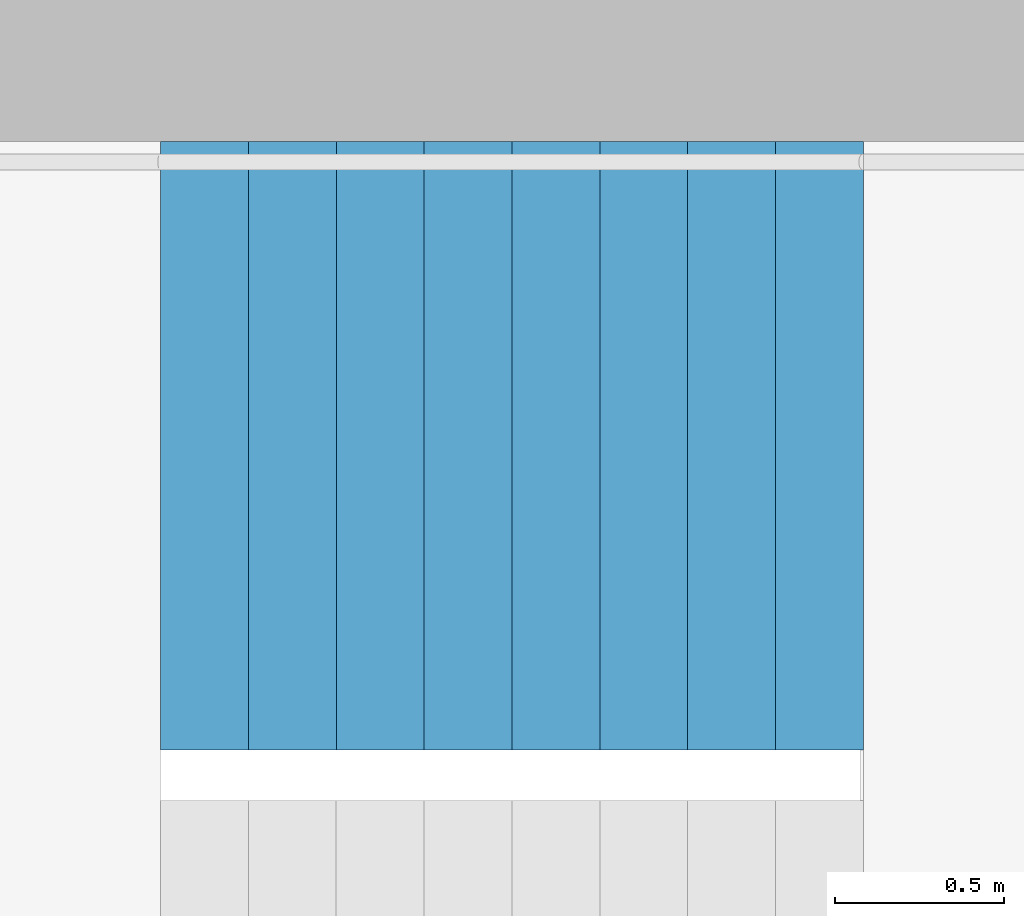
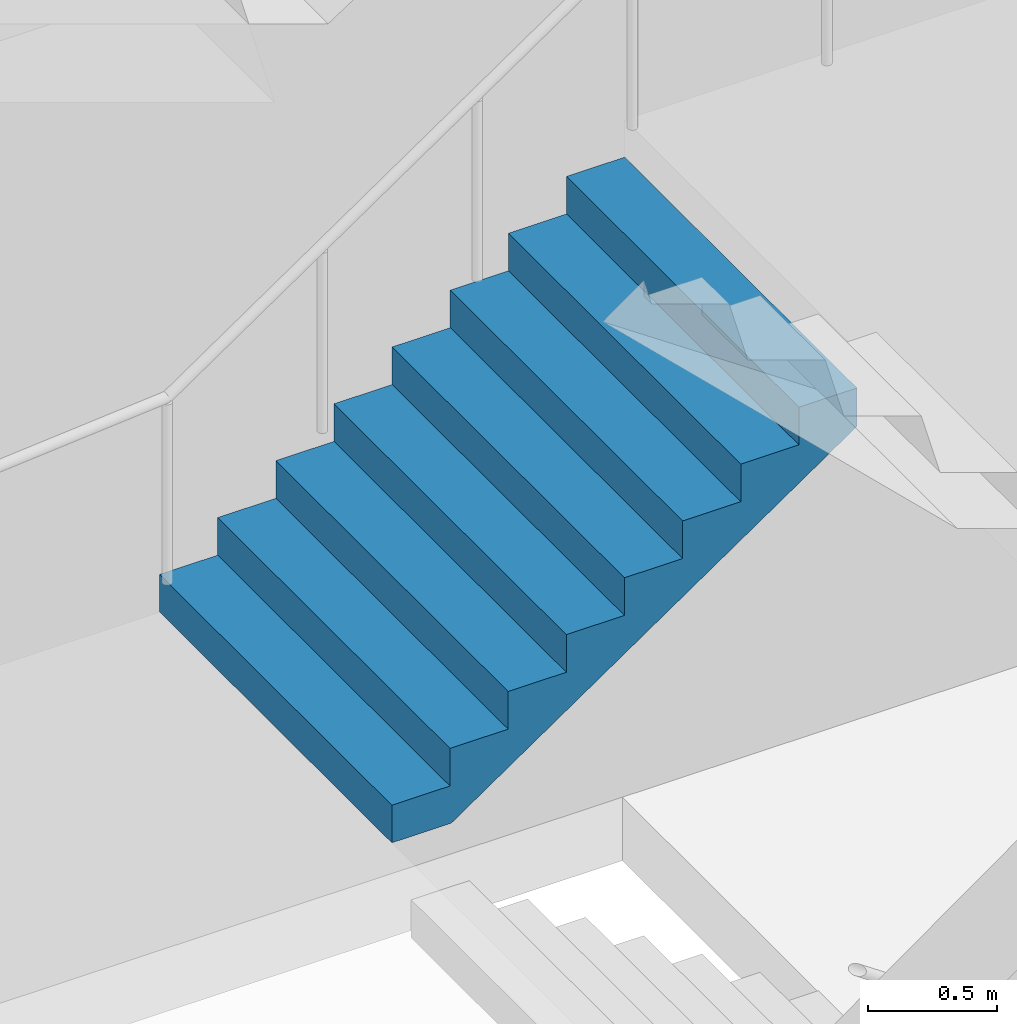
# One storey, part 31 of 44: 1 stair flight, 1 element without a shape of its own.
"""IFC4 building model written with IfcOpenShell, lengths in metres."""

from ifc_helpers import new_model, si_unit, direction, frame, origin, place, context, subcontext, project, spatial, triangles, material, type_object, element, aggregate, save


model = new_model("IFC4")

# Units and contexts
model_context = context("Model", 3, precision=1e-05, world=origin(), true_north=direction((0.0, 1.0)))
body_context = subcontext(model_context, "Body", "Model", "MODEL_VIEW")
ifc_project = project(units=[si_unit("LENGTHUNIT", "METRE"), si_unit("AREAUNIT", "SQUARE_METRE"), si_unit("VOLUMEUNIT", "CUBIC_METRE"), si_unit("PLANEANGLEUNIT", "RADIAN"), si_unit("MASSUNIT", "GRAM", prefix="KILO")], contexts=[model_context])

# Site, building, storey
site_placement = place(None, origin())
site = spatial("IfcSite", under=ifc_project, at=site_placement, CompositionType="ELEMENT")
building_placement = place(site_placement, origin())
building = spatial("IfcBuilding", under=site, at=building_placement, Name="Hakoniwa Tower and Hamabe Station Hall", CompositionType="ELEMENT")
storey_placement = place(building_placement, frame((0.0, 0.0, 69.0)))
storey = spatial("IfcBuildingStorey", under=building, at=storey_placement, Name="L19", CompositionType="ELEMENT", Elevation=69.0)

# Stair, stair flight
ifc_material_1 = material(Name="Concrete C40", Category="concrete")
stair_type = type_object("IfcStairType", Name="ESCAPE STAIR 1800", PredefinedType="HALF_TURN_STAIR", material=ifc_material_1)
stair_placement = place(storey_placement, origin())
stair = element("IfcStair", 1, at=stair_placement, inside=storey, type_object=stair_type, Name="Escape stair ST-3 L19", PredefinedType="HALF_TURN_STAIR")
ifc_material_2 = material(Name="Concrete C40", Category="concrete")
stair_flight_type = type_object("IfcStairFlightType", Name="STAIR FLIGHT 1800", PredefinedType="STRAIGHT", material=ifc_material_2)
stair_flight_placement = place(storey_placement, frame((22.320068359375, 6.60009765625, 1.60009765625), z_axis=(0.0, 0.0, 1.0), x_axis=(1.0, 0.0, 0.0)))
stair_flight = element("IfcStairFlight", 2, at=stair_flight_placement, type_object=stair_flight_type, Name="ST-3 flight 2", NumberOfRisers=9, NumberOfTreads=8, PredefinedType="STRAIGHT", RiserHeight=0.177777778, TreadLength=0.26, context=body_context, shape_type="Tessellation", body=[
    triangles([(0.0, 0.89990234375, 0.0), (0.260009765625, 0.89990234375, 0.0), (0.265625, 0.89990234375, 0.0), (0.52001953125, 0.89990234375, 0.174072265625), (0.780029296875, 0.89990234375, 0.351806640625), (1.0400390625, 0.89990234375, 0.529541015625), (1.300048828125, 0.89990234375, 0.707275390625), (1.56005859375, 0.89990234375, 0.885009765625), (1.820068359375, 0.89990234375, 1.062744140625), (2.080078125, 0.89990234375, 1.24072265625), (2.080078125, 0.89990234375, 1.422119140625), (1.820068359375, 0.89990234375, 1.422119140625), (1.820068359375, 0.89990234375, 1.244384765625), (1.56005859375, 0.89990234375, 1.244384765625), (1.56005859375, 0.89990234375, 1.066650390625), (1.300048828125, 0.89990234375, 1.066650390625), (1.300048828125, 0.89990234375, 0.888916015625), (1.0400390625, 0.89990234375, 0.888916015625), (1.0400390625, 0.89990234375, 0.711181640625), (0.780029296875, 0.89990234375, 0.711181640625), (0.780029296875, 0.89990234375, 0.533447265625), (0.52001953125, 0.89990234375, 0.533447265625), (0.52001953125, 0.89990234375, 0.35546875), (0.265625, 0.89990234375, 0.35546875), (0.260009765625, 0.89990234375, 0.35546875), (0.260009765625, 0.89990234375, 0.177734375), (0.0, 0.89990234375, 0.177734375), (0.0, 0.06005859375, 0.0), (0.260009765625, 0.06005859375, 0.0), (0.265625, 0.06005859375, 0.0), (0.52001953125, 0.06005859375, 0.174072265625), (0.780029296875, 0.06005859375, 0.351806640625), (1.0400390625, 0.06005859375, 0.529541015625), (1.300048828125, 0.06005859375, 0.707275390625), (1.56005859375, 0.06005859375, 0.885009765625), (1.820068359375, 0.06005859375, 1.062744140625), (2.080078125, 0.06005859375, 1.24072265625), (2.080078125, 0.06005859375, 1.422119140625), (1.820068359375, 0.06005859375, 1.422119140625), (1.820068359375, 0.06005859375, 1.244384765625), (1.56005859375, 0.06005859375, 1.244384765625), (1.56005859375, 0.06005859375, 1.066650390625), (1.300048828125, 0.06005859375, 1.066650390625), (1.300048828125, 0.06005859375, 0.888916015625), (1.0400390625, 0.06005859375, 0.888916015625), (1.0400390625, 0.06005859375, 0.711181640625), (0.780029296875, 0.06005859375, 0.711181640625), (0.780029296875, 0.06005859375, 0.533447265625), (0.52001953125, 0.06005859375, 0.533447265625), (0.52001953125, 0.06005859375, 0.35546875), (0.265625, 0.06005859375, 0.35546875), (0.260009765625, 0.06005859375, 0.35546875), (0.260009765625, 0.06005859375, 0.177734375), (0.0, 0.06005859375, 0.177734375), (0.0, 0.04296875, 0.0), (0.260009765625, 0.04296875, 0.0), (0.265625, 0.04296875, 0.0), (0.52001953125, 0.04296875, 0.174072265625), (0.780029296875, 0.04296875, 0.351806640625), (1.0400390625, 0.04296875, 0.529541015625), (1.300048828125, 0.04296875, 0.707275390625), (1.56005859375, 0.04296875, 0.885009765625), (1.820068359375, 0.04296875, 1.062744140625), (2.080078125, 0.04296875, 1.24072265625), (2.080078125, 0.04296875, 1.422119140625), (1.820068359375, 0.04296875, 1.422119140625), (1.820068359375, 0.04296875, 1.244384765625), (1.56005859375, 0.04296875, 1.244384765625), (1.56005859375, 0.04296875, 1.066650390625), (1.300048828125, 0.04296875, 1.066650390625), (1.300048828125, 0.04296875, 0.888916015625), (1.0400390625, 0.04296875, 0.888916015625), (1.0400390625, 0.04296875, 0.711181640625), (0.780029296875, 0.04296875, 0.711181640625), (0.780029296875, 0.04296875, 0.533447265625), (0.52001953125, 0.04296875, 0.533447265625), (0.52001953125, 0.04296875, 0.35546875), (0.265625, 0.04296875, 0.35546875), (0.260009765625, 0.04296875, 0.35546875), (0.260009765625, 0.04296875, 0.177734375), (0.0, 0.04296875, 0.177734375), (0.0, 0.025634765625, 0.0), (0.260009765625, 0.025634765625, 0.0), (0.265625, 0.025634765625, 0.0), (0.52001953125, 0.025634765625, 0.174072265625), (0.780029296875, 0.025634765625, 0.351806640625), (1.0400390625, 0.025634765625, 0.529541015625), (1.300048828125, 0.025634765625, 0.707275390625), (1.56005859375, 0.025634765625, 0.885009765625), (1.820068359375, 0.025634765625, 1.062744140625), (2.080078125, 0.025634765625, 1.24072265625), (2.080078125, 0.025634765625, 1.422119140625), (1.820068359375, 0.025634765625, 1.422119140625), (1.820068359375, 0.025634765625, 1.244384765625), (1.56005859375, 0.025634765625, 1.244384765625), (1.56005859375, 0.025634765625, 1.066650390625), (1.300048828125, 0.025634765625, 1.066650390625), (1.300048828125, 0.025634765625, 0.888916015625), (1.0400390625, 0.025634765625, 0.888916015625), (1.0400390625, 0.025634765625, 0.711181640625), (0.780029296875, 0.025634765625, 0.711181640625), (0.780029296875, 0.025634765625, 0.533447265625), (0.52001953125, 0.025634765625, 0.533447265625), (0.52001953125, 0.025634765625, 0.35546875), (0.265625, 0.025634765625, 0.35546875), (0.260009765625, 0.025634765625, 0.35546875), (0.260009765625, 0.025634765625, 0.177734375), (0.0, 0.025634765625, 0.177734375), (0.0, 0.008544921875, 0.0), (0.260009765625, 0.008544921875, 0.0), (0.265625, 0.008544921875, 0.0), (0.52001953125, 0.008544921875, 0.174072265625), (0.780029296875, 0.008544921875, 0.351806640625), (1.0400390625, 0.008544921875, 0.529541015625), (1.300048828125, 0.008544921875, 0.707275390625), (1.56005859375, 0.008544921875, 0.885009765625), (1.820068359375, 0.008544921875, 1.062744140625), (2.080078125, 0.008544921875, 1.24072265625), (2.080078125, 0.008544921875, 1.422119140625), (1.820068359375, 0.008544921875, 1.422119140625), (1.820068359375, 0.008544921875, 1.244384765625), (1.56005859375, 0.008544921875, 1.244384765625), (1.56005859375, 0.008544921875, 1.066650390625), (1.300048828125, 0.008544921875, 1.066650390625), (1.300048828125, 0.008544921875, 0.888916015625), (1.0400390625, 0.008544921875, 0.888916015625), (1.0400390625, 0.008544921875, 0.711181640625), (0.780029296875, 0.008544921875, 0.711181640625), (0.780029296875, 0.008544921875, 0.533447265625), (0.52001953125, 0.008544921875, 0.533447265625), (0.52001953125, 0.008544921875, 0.35546875), (0.265625, 0.008544921875, 0.35546875), (0.260009765625, 0.008544921875, 0.35546875), (0.260009765625, 0.008544921875, 0.177734375), (0.0, 0.008544921875, 0.177734375), (0.0, -0.008544921875, 0.0), (0.260009765625, -0.008544921875, 0.0), (0.265625, -0.008544921875, 0.0), (0.52001953125, -0.008544921875, 0.174072265625), (0.780029296875, -0.008544921875, 0.351806640625), (1.0400390625, -0.008544921875, 0.529541015625), (1.300048828125, -0.008544921875, 0.707275390625), (1.56005859375, -0.008544921875, 0.885009765625), (1.820068359375, -0.008544921875, 1.062744140625), (2.080078125, -0.008544921875, 1.24072265625), (2.080078125, -0.008544921875, 1.422119140625), (1.820068359375, -0.008544921875, 1.422119140625), (1.820068359375, -0.008544921875, 1.244384765625), (1.56005859375, -0.008544921875, 1.244384765625), (1.56005859375, -0.008544921875, 1.066650390625), (1.300048828125, -0.008544921875, 1.066650390625), (1.300048828125, -0.008544921875, 0.888916015625), (1.0400390625, -0.008544921875, 0.888916015625), (1.0400390625, -0.008544921875, 0.711181640625), (0.780029296875, -0.008544921875, 0.711181640625), (0.780029296875, -0.008544921875, 0.533447265625), (0.52001953125, -0.008544921875, 0.533447265625), (0.52001953125, -0.008544921875, 0.35546875), (0.265625, -0.008544921875, 0.35546875), (0.260009765625, -0.008544921875, 0.35546875), (0.260009765625, -0.008544921875, 0.177734375), (0.0, -0.008544921875, 0.177734375), (0.0, -0.025634765625, 0.0), (0.260009765625, -0.025634765625, 0.0), (0.265625, -0.025634765625, 0.0), (0.52001953125, -0.025634765625, 0.174072265625), (0.780029296875, -0.025634765625, 0.351806640625), (1.0400390625, -0.025634765625, 0.529541015625), (1.300048828125, -0.025634765625, 0.707275390625), (1.56005859375, -0.025634765625, 0.885009765625), (1.820068359375, -0.025634765625, 1.062744140625), (2.080078125, -0.025634765625, 1.24072265625), (2.080078125, -0.025634765625, 1.422119140625), (1.820068359375, -0.025634765625, 1.422119140625), (1.820068359375, -0.025634765625, 1.244384765625), (1.56005859375, -0.025634765625, 1.244384765625), (1.56005859375, -0.025634765625, 1.066650390625), (1.300048828125, -0.025634765625, 1.066650390625), (1.300048828125, -0.025634765625, 0.888916015625), (1.0400390625, -0.025634765625, 0.888916015625), (1.0400390625, -0.025634765625, 0.711181640625), (0.780029296875, -0.025634765625, 0.711181640625), (0.780029296875, -0.025634765625, 0.533447265625), (0.52001953125, -0.025634765625, 0.533447265625), (0.52001953125, -0.025634765625, 0.35546875), (0.265625, -0.025634765625, 0.35546875), (0.260009765625, -0.025634765625, 0.35546875), (0.260009765625, -0.025634765625, 0.177734375), (0.0, -0.025634765625, 0.177734375), (0.0, -0.04296875, 0.0), (0.260009765625, -0.04296875, 0.0), (0.265625, -0.04296875, 0.0), (0.52001953125, -0.04296875, 0.174072265625), (0.780029296875, -0.04296875, 0.351806640625), (1.0400390625, -0.04296875, 0.529541015625), (1.300048828125, -0.04296875, 0.707275390625), (1.56005859375, -0.04296875, 0.885009765625), (1.820068359375, -0.04296875, 1.062744140625), (2.080078125, -0.04296875, 1.24072265625), (2.080078125, -0.04296875, 1.422119140625), (1.820068359375, -0.04296875, 1.422119140625), (1.820068359375, -0.04296875, 1.244384765625), (1.56005859375, -0.04296875, 1.244384765625), (1.56005859375, -0.04296875, 1.066650390625), (1.300048828125, -0.04296875, 1.066650390625), (1.300048828125, -0.04296875, 0.888916015625), (1.0400390625, -0.04296875, 0.888916015625), (1.0400390625, -0.04296875, 0.711181640625), (0.780029296875, -0.04296875, 0.711181640625), (0.780029296875, -0.04296875, 0.533447265625), (0.52001953125, -0.04296875, 0.533447265625), (0.52001953125, -0.04296875, 0.35546875), (0.265625, -0.04296875, 0.35546875), (0.260009765625, -0.04296875, 0.35546875), (0.260009765625, -0.04296875, 0.177734375), (0.0, -0.04296875, 0.177734375), (0.0, -0.06005859375, 0.0), (0.260009765625, -0.06005859375, 0.0), (0.265625, -0.06005859375, 0.0), (0.52001953125, -0.06005859375, 0.174072265625), (0.780029296875, -0.06005859375, 0.351806640625), (1.0400390625, -0.06005859375, 0.529541015625), (1.300048828125, -0.06005859375, 0.707275390625), (1.56005859375, -0.06005859375, 0.885009765625), (1.820068359375, -0.06005859375, 1.062744140625), (2.080078125, -0.06005859375, 1.24072265625), (2.080078125, -0.06005859375, 1.422119140625), (1.820068359375, -0.06005859375, 1.422119140625), (1.820068359375, -0.06005859375, 1.244384765625), (1.56005859375, -0.06005859375, 1.244384765625), (1.56005859375, -0.06005859375, 1.066650390625), (1.300048828125, -0.06005859375, 1.066650390625), (1.300048828125, -0.06005859375, 0.888916015625), (1.0400390625, -0.06005859375, 0.888916015625), (1.0400390625, -0.06005859375, 0.711181640625), (0.780029296875, -0.06005859375, 0.711181640625), (0.780029296875, -0.06005859375, 0.533447265625), (0.52001953125, -0.06005859375, 0.533447265625), (0.52001953125, -0.06005859375, 0.35546875), (0.265625, -0.06005859375, 0.35546875), (0.260009765625, -0.06005859375, 0.35546875), (0.260009765625, -0.06005859375, 0.177734375), (0.0, -0.06005859375, 0.177734375), (0.0, -0.89990234375, 0.0), (0.260009765625, -0.89990234375, 0.0), (0.265625, -0.89990234375, 0.0), (0.52001953125, -0.89990234375, 0.174072265625), (0.780029296875, -0.89990234375, 0.351806640625), (1.0400390625, -0.89990234375, 0.529541015625), (1.300048828125, -0.89990234375, 0.707275390625), (1.56005859375, -0.89990234375, 0.885009765625), (1.820068359375, -0.89990234375, 1.062744140625), (2.080078125, -0.89990234375, 1.24072265625), (2.080078125, -0.89990234375, 1.422119140625), (1.820068359375, -0.89990234375, 1.422119140625), (1.820068359375, -0.89990234375, 1.244384765625), (1.56005859375, -0.89990234375, 1.244384765625), (1.56005859375, -0.89990234375, 1.066650390625), (1.300048828125, -0.89990234375, 1.066650390625), (1.300048828125, -0.89990234375, 0.888916015625), (1.0400390625, -0.89990234375, 0.888916015625), (1.0400390625, -0.89990234375, 0.711181640625), (0.780029296875, -0.89990234375, 0.711181640625), (0.780029296875, -0.89990234375, 0.533447265625), (0.52001953125, -0.89990234375, 0.533447265625), (0.52001953125, -0.89990234375, 0.35546875), (0.265625, -0.89990234375, 0.35546875), (0.260009765625, -0.89990234375, 0.35546875), (0.260009765625, -0.89990234375, 0.177734375), (0.0, -0.89990234375, 0.177734375)], [[2, 27, 26], [245, 269, 270], [2, 1, 27], [245, 270, 244], [3, 25, 24], [246, 267, 268], [3, 26, 25], [246, 268, 269], [3, 2, 26], [246, 269, 245], [4, 24, 23], [247, 266, 267], [4, 3, 24], [247, 267, 246], [5, 22, 21], [248, 264, 265], [5, 23, 22], [248, 265, 266], [5, 4, 23], [248, 266, 247], [6, 20, 19], [249, 262, 263], [6, 21, 20], [249, 263, 264], [6, 5, 21], [249, 264, 248], [7, 18, 17], [250, 260, 261], [7, 19, 18], [250, 261, 262], [7, 6, 19], [250, 262, 249], [8, 16, 15], [251, 258, 259], [8, 17, 16], [251, 259, 260], [8, 7, 17], [251, 260, 250], [9, 14, 13], [252, 256, 257], [9, 15, 14], [252, 257, 258], [9, 8, 15], [252, 258, 251], [10, 12, 11], [253, 254, 255], [10, 13, 12], [253, 255, 256], [10, 9, 13], [253, 256, 252], [1, 2, 29], [1, 29, 28], [28, 29, 56], [28, 56, 55], [55, 56, 83], [55, 83, 82], [82, 83, 110], [82, 110, 109], [109, 110, 137], [109, 137, 136], [136, 137, 164], [136, 164, 163], [163, 164, 191], [163, 191, 190], [190, 191, 218], [190, 218, 217], [217, 218, 245], [217, 245, 244], [2, 3, 30], [2, 30, 29], [29, 30, 57], [29, 57, 56], [56, 57, 84], [56, 84, 83], [83, 84, 111], [83, 111, 110], [110, 111, 138], [110, 138, 137], [137, 138, 165], [137, 165, 164], [164, 165, 192], [164, 192, 191], [191, 192, 219], [191, 219, 218], [218, 219, 246], [218, 246, 245], [3, 4, 31], [3, 31, 30], [30, 31, 58], [30, 58, 57], [57, 58, 85], [57, 85, 84], [84, 85, 112], [84, 112, 111], [111, 112, 139], [111, 139, 138], [138, 139, 166], [138, 166, 165], [165, 166, 193], [165, 193, 192], [192, 193, 220], [192, 220, 219], [219, 220, 247], [219, 247, 246], [4, 5, 32], [4, 32, 31], [31, 32, 59], [31, 59, 58], [58, 59, 86], [58, 86, 85], [85, 86, 113], [85, 113, 112], [112, 113, 140], [112, 140, 139], [139, 140, 167], [139, 167, 166], [166, 167, 194], [166, 194, 193], [193, 194, 221], [193, 221, 220], [220, 221, 248], [220, 248, 247], [5, 6, 33], [5, 33, 32], [32, 33, 60], [32, 60, 59], [59, 60, 87], [59, 87, 86], [86, 87, 114], [86, 114, 113], [113, 114, 141], [113, 141, 140], [140, 141, 168], [140, 168, 167], [167, 168, 195], [167, 195, 194], [194, 195, 222], [194, 222, 221], [221, 222, 249], [221, 249, 248], [6, 7, 34], [6, 34, 33], [33, 34, 61], [33, 61, 60], [60, 61, 88], [60, 88, 87], [87, 88, 115], [87, 115, 114], [114, 115, 142], [114, 142, 141], [141, 142, 169], [141, 169, 168], [168, 169, 196], [168, 196, 195], [195, 196, 223], [195, 223, 222], [222, 223, 250], [222, 250, 249], [7, 8, 35], [7, 35, 34], [34, 35, 62], [34, 62, 61], [61, 62, 89], [61, 89, 88], [88, 89, 116], [88, 116, 115], [115, 116, 143], [115, 143, 142], [142, 143, 170], [142, 170, 169], [169, 170, 197], [169, 197, 196], [196, 197, 224], [196, 224, 223], [223, 224, 251], [223, 251, 250], [8, 9, 36], [8, 36, 35], [35, 36, 63], [35, 63, 62], [62, 63, 90], [62, 90, 89], [89, 90, 117], [89, 117, 116], [116, 117, 144], [116, 144, 143], [143, 144, 171], [143, 171, 170], [170, 171, 198], [170, 198, 197], [197, 198, 225], [197, 225, 224], [224, 225, 252], [224, 252, 251], [9, 10, 37], [9, 37, 36], [36, 37, 64], [36, 64, 63], [63, 64, 91], [63, 91, 90], [90, 91, 118], [90, 118, 117], [117, 118, 145], [117, 145, 144], [144, 145, 172], [144, 172, 171], [171, 172, 199], [171, 199, 198], [198, 199, 226], [198, 226, 225], [225, 226, 253], [225, 253, 252], [10, 11, 38], [10, 38, 37], [37, 38, 65], [37, 65, 64], [64, 65, 92], [64, 92, 91], [91, 92, 119], [91, 119, 118], [118, 119, 146], [118, 146, 145], [145, 146, 173], [145, 173, 172], [172, 173, 200], [172, 200, 199], [199, 200, 227], [199, 227, 226], [226, 227, 254], [226, 254, 253], [11, 12, 39], [11, 39, 38], [38, 39, 66], [38, 66, 65], [65, 66, 93], [65, 93, 92], [92, 93, 120], [92, 120, 119], [119, 120, 147], [119, 147, 146], [146, 147, 174], [146, 174, 173], [173, 174, 201], [173, 201, 200], [200, 201, 228], [200, 228, 227], [227, 228, 255], [227, 255, 254], [12, 13, 40], [12, 40, 39], [39, 40, 67], [39, 67, 66], [66, 67, 94], [66, 94, 93], [93, 94, 121], [93, 121, 120], [120, 121, 148], [120, 148, 147], [147, 148, 175], [147, 175, 174], [174, 175, 202], [174, 202, 201], [201, 202, 229], [201, 229, 228], [228, 229, 256], [228, 256, 255], [13, 14, 41], [13, 41, 40], [40, 41, 68], [40, 68, 67], [67, 68, 95], [67, 95, 94], [94, 95, 122], [94, 122, 121], [121, 122, 149], [121, 149, 148], [148, 149, 176], [148, 176, 175], [175, 176, 203], [175, 203, 202], [202, 203, 230], [202, 230, 229], [229, 230, 257], [229, 257, 256], [14, 15, 42], [14, 42, 41], [41, 42, 69], [41, 69, 68], [68, 69, 96], [68, 96, 95], [95, 96, 123], [95, 123, 122], [122, 123, 150], [122, 150, 149], [149, 150, 177], [149, 177, 176], [176, 177, 204], [176, 204, 203], [203, 204, 231], [203, 231, 230], [230, 231, 258], [230, 258, 257], [15, 16, 43], [15, 43, 42], [42, 43, 70], [42, 70, 69], [69, 70, 97], [69, 97, 96], [96, 97, 124], [96, 124, 123], [123, 124, 151], [123, 151, 150], [150, 151, 178], [150, 178, 177], [177, 178, 205], [177, 205, 204], [204, 205, 232], [204, 232, 231], [231, 232, 259], [231, 259, 258], [16, 17, 44], [16, 44, 43], [43, 44, 71], [43, 71, 70], [70, 71, 98], [70, 98, 97], [97, 98, 125], [97, 125, 124], [124, 125, 152], [124, 152, 151], [151, 152, 179], [151, 179, 178], [178, 179, 206], [178, 206, 205], [205, 206, 233], [205, 233, 232], [232, 233, 260], [232, 260, 259], [17, 18, 45], [17, 45, 44], [44, 45, 72], [44, 72, 71], [71, 72, 99], [71, 99, 98], [98, 99, 126], [98, 126, 125], [125, 126, 153], [125, 153, 152], [152, 153, 180], [152, 180, 179], [179, 180, 207], [179, 207, 206], [206, 207, 234], [206, 234, 233], [233, 234, 261], [233, 261, 260], [18, 19, 46], [18, 46, 45], [45, 46, 73], [45, 73, 72], [72, 73, 100], [72, 100, 99], [99, 100, 127], [99, 127, 126], [126, 127, 154], [126, 154, 153], [153, 154, 181], [153, 181, 180], [180, 181, 208], [180, 208, 207], [207, 208, 235], [207, 235, 234], [234, 235, 262], [234, 262, 261], [19, 20, 47], [19, 47, 46], [46, 47, 74], [46, 74, 73], [73, 74, 101], [73, 101, 100], [100, 101, 128], [100, 128, 127], [127, 128, 155], [127, 155, 154], [154, 155, 182], [154, 182, 181], [181, 182, 209], [181, 209, 208], [208, 209, 236], [208, 236, 235], [235, 236, 263], [235, 263, 262], [20, 21, 48], [20, 48, 47], [47, 48, 75], [47, 75, 74], [74, 75, 102], [74, 102, 101], [101, 102, 129], [101, 129, 128], [128, 129, 156], [128, 156, 155], [155, 156, 183], [155, 183, 182], [182, 183, 210], [182, 210, 209], [209, 210, 237], [209, 237, 236], [236, 237, 264], [236, 264, 263], [21, 22, 49], [21, 49, 48], [48, 49, 76], [48, 76, 75], [75, 76, 103], [75, 103, 102], [102, 103, 130], [102, 130, 129], [129, 130, 157], [129, 157, 156], [156, 157, 184], [156, 184, 183], [183, 184, 211], [183, 211, 210], [210, 211, 238], [210, 238, 237], [237, 238, 265], [237, 265, 264], [22, 23, 50], [22, 50, 49], [49, 50, 77], [49, 77, 76], [76, 77, 104], [76, 104, 103], [103, 104, 131], [103, 131, 130], [130, 131, 158], [130, 158, 157], [157, 158, 185], [157, 185, 184], [184, 185, 212], [184, 212, 211], [211, 212, 239], [211, 239, 238], [238, 239, 266], [238, 266, 265], [23, 24, 51], [23, 51, 50], [50, 51, 78], [50, 78, 77], [77, 78, 105], [77, 105, 104], [104, 105, 132], [104, 132, 131], [131, 132, 159], [131, 159, 158], [158, 159, 186], [158, 186, 185], [185, 186, 213], [185, 213, 212], [212, 213, 240], [212, 240, 239], [239, 240, 267], [239, 267, 266], [24, 25, 52], [24, 52, 51], [51, 52, 79], [51, 79, 78], [78, 79, 106], [78, 106, 105], [105, 106, 133], [105, 133, 132], [132, 133, 160], [132, 160, 159], [159, 160, 187], [159, 187, 186], [186, 187, 214], [186, 214, 213], [213, 214, 241], [213, 241, 240], [240, 241, 268], [240, 268, 267], [25, 26, 53], [25, 53, 52], [52, 53, 80], [52, 80, 79], [79, 80, 107], [79, 107, 106], [106, 107, 134], [106, 134, 133], [133, 134, 161], [133, 161, 160], [160, 161, 188], [160, 188, 187], [187, 188, 215], [187, 215, 214], [214, 215, 242], [214, 242, 241], [241, 242, 269], [241, 269, 268], [26, 27, 54], [26, 54, 53], [53, 54, 81], [53, 81, 80], [80, 81, 108], [80, 108, 107], [107, 108, 135], [107, 135, 134], [134, 135, 162], [134, 162, 161], [161, 162, 189], [161, 189, 188], [188, 189, 216], [188, 216, 215], [215, 216, 243], [215, 243, 242], [242, 243, 270], [242, 270, 269], [27, 1, 28], [27, 28, 54], [54, 28, 55], [54, 55, 81], [81, 55, 82], [81, 82, 108], [108, 82, 109], [108, 109, 135], [135, 109, 136], [135, 136, 162], [162, 136, 163], [162, 163, 189], [189, 163, 190], [189, 190, 216], [216, 190, 217], [216, 217, 243], [243, 217, 244], [243, 244, 270]], closed=True),
])
aggregate(stair, [stair_flight])

save(model, "model.ifc")
